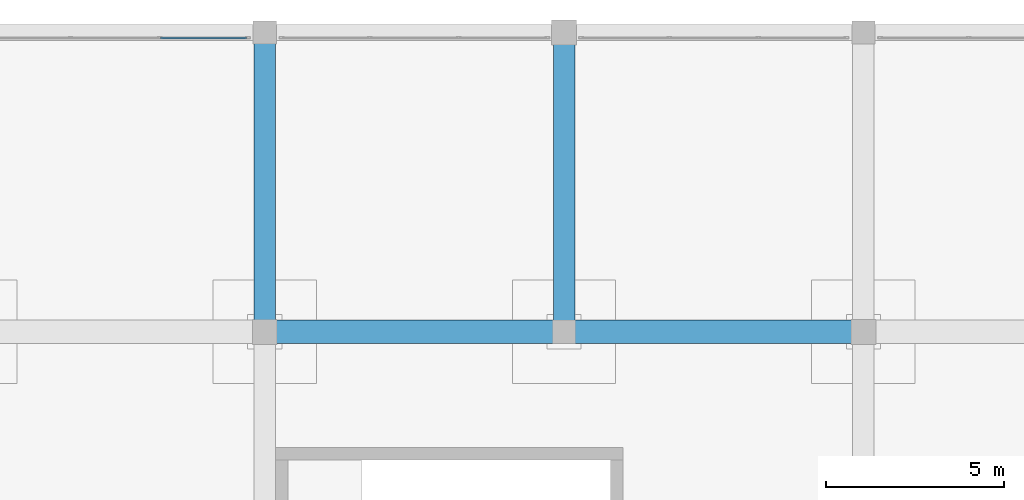
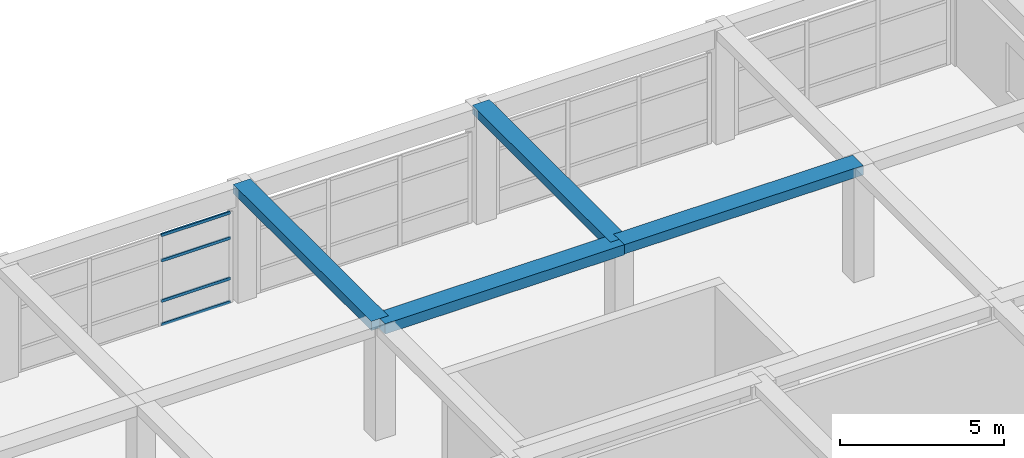
# One storey, part 61 of 85: 4 beams, 4 members, 1 element without a shape of its own.
"""IFC4 building model written with IfcOpenShell, lengths in metres."""

from ifc_helpers import new_model, si_unit, direction, frame, origin, origin_2d, place, context, subcontext, project, spatial, rectangle, hollow_rectangle, extrude, material, material_profile, profile_set, type_object, element, aggregate, save


model = new_model("IFC4")

# Units and contexts
model_context = context("Model", 3, precision=1e-05, world=origin(), true_north=direction((0.0, 1.0)))
body_context = subcontext(model_context, "Body", "Model", "MODEL_VIEW")
ifc_project = project(units=[si_unit("LENGTHUNIT", "METRE"), si_unit("AREAUNIT", "SQUARE_METRE"), si_unit("VOLUMEUNIT", "CUBIC_METRE"), si_unit("PLANEANGLEUNIT", "RADIAN"), si_unit("MASSUNIT", "GRAM", prefix="KILO")], contexts=[model_context])

# Site, building, storey
site_placement = place(None, origin())
site = spatial("IfcSite", under=ifc_project, at=site_placement, CompositionType="ELEMENT")
building_placement = place(site_placement, origin())
building = spatial("IfcBuilding", under=site, at=building_placement, Name="Almacenes y Pasaje Nevantli", CompositionType="ELEMENT")
storey_placement = place(building_placement, frame((0.0, 0.0, 22.199951171875)))
storey = spatial("IfcBuildingStorey", under=building, at=storey_placement, Name="L05", CompositionType="ELEMENT", Elevation=22.199951171875)

# Beams
ifc_material_1 = material(Name="Concrete C35/45", Category="concrete")
ifc_material_profile_1 = material_profile(ifc_material_1, rectangle(XDim=0.60009765625, YDim=0.320068359375, at=origin_2d()), Name="RC-BM-600x320")
ifc_profile_set_1 = profile_set([ifc_material_profile_1], Name="Concrete C35/45")
beam_type_1 = type_object("IfcBeamType", Name="BM-RC-600x320", PredefinedType="BEAM", material=ifc_profile_set_1)
beam_1_placement = place(storey_placement, frame((151.199951171875, 109.199951171875, 4.06005859375), z_axis=(0.0, 1.0, 0.0), x_axis=(-1.0, 0.0, 0.0)))
element("IfcBeam", 1, at=beam_1_placement, inside=storey, type_object=beam_type_1, Name="L05 North-South Reinforced Concrete Beam #3544", PredefinedType="BEAM", context=body_context, shape_type="SweptSolid", body=[
    extrude(rectangle(XDim=0.60009765625, YDim=0.320068359375, at=origin_2d()), origin(), (0.0, 0.0, 1.0), 8.400146484375),
])
ifc_material_2 = material(Name="Concrete C35/45", Category="concrete")
ifc_material_profile_2 = material_profile(ifc_material_2, rectangle(XDim=0.60009765625, YDim=0.340087890625, at=origin_2d()), Name="RC-BM-600x340")
ifc_profile_set_2 = profile_set([ifc_material_profile_2], Name="Concrete C35/45")
beam_type_2 = type_object("IfcBeamType", Name="BM-RC-600x340", PredefinedType="BEAM", material=ifc_profile_set_2)
beam_2_placement = place(storey_placement, frame((142.800048828125, 109.199951171875, 4.050048828125), z_axis=(0.0, 1.0, 0.0), x_axis=(-1.0, 0.0, 0.0)))
element("IfcBeam", 2, at=beam_2_placement, inside=storey, type_object=beam_type_2, Name="L05 North-South Reinforced Concrete Beam #3536", PredefinedType="BEAM", context=body_context, shape_type="SweptSolid", body=[
    extrude(rectangle(XDim=0.60009765625, YDim=0.340087890625, at=origin_2d()), origin(), (0.0, 0.0, 1.0), 8.400146484375),
])
ifc_material_3 = material(Name="Concrete C35/45", Category="concrete")
ifc_material_profile_3 = material_profile(ifc_material_3, rectangle(XDim=0.64990234375, YDim=0.35009765625, at=origin_2d()), Name="RC-BM-650x350")
ifc_profile_set_3 = profile_set([ifc_material_profile_3], Name="Concrete C35/45")
beam_type_3 = type_object("IfcBeamType", Name="BM-RC-650x350", PredefinedType="BEAM", material=ifc_profile_set_3)
beam_3_placement = place(storey_placement, frame((151.199951171875, 109.199951171875, 4.045166015625), z_axis=(1.0, 0.0, 0.0), x_axis=(0.0, 1.0, 0.0)))
element("IfcBeam", 3, at=beam_3_placement, inside=storey, type_object=beam_type_3, Name="L05 East-West Reinforced Concrete Beam #3403", PredefinedType="BEAM", context=body_context, shape_type="SweptSolid", body=[
    extrude(rectangle(XDim=0.64990234375, YDim=0.35009765625, at=origin_2d()), origin(), (0.0, 0.0, 1.0), 8.400146484375),
])
ifc_material_4 = material(Name="Concrete C35/45", Category="concrete")
ifc_material_profile_4 = material_profile(ifc_material_4, rectangle(XDim=0.64990234375, YDim=0.3798828125, at=origin_2d()), Name="RC-BM-650x380")
ifc_profile_set_4 = profile_set([ifc_material_profile_4], Name="Concrete C35/45")
beam_type_4 = type_object("IfcBeamType", Name="BM-RC-650x380", PredefinedType="BEAM", material=ifc_profile_set_4)
beam_4_placement = place(storey_placement, frame((142.800048828125, 109.199951171875, 4.030029296875), z_axis=(1.0, 0.0, 0.0), x_axis=(0.0, 1.0, 0.0)))
element("IfcBeam", 4, at=beam_4_placement, inside=storey, type_object=beam_type_4, Name="L05 East-West Reinforced Concrete Beam #3402", PredefinedType="BEAM", context=body_context, shape_type="SweptSolid", body=[
    extrude(rectangle(XDim=0.64990234375, YDim=0.3798828125, at=origin_2d()), origin(), (0.0, 0.0, 1.0), 8.39990234375),
])

# Curtain wall, members
ifc_material_5 = material(Name="Thermally Broken Aluminium and Low-E Glass", Category="aluminium")
curtain_wall_type = type_object("IfcCurtainWallType", Name="CW-UNIT-PODIUM", PredefinedType="USERDEFINED", material=ifc_material_5)
curtain_wall_placement = place(storey_placement, origin())
curtain_wall = element("IfcCurtainWall", 5, at=curtain_wall_placement, inside=storey, type_object=curtain_wall_type, Name="L05 Sky-Lobby North Curtain Wall Bay 17", ObjectType="UNITIZED CURTAIN WALL", PredefinedType="USERDEFINED")
ifc_material_6 = material(Name="Thermally Broken Anodized Aluminium", Category="aluminium")
ifc_material_profile_5 = material_profile(ifc_material_6, hollow_rectangle(XDim=0.054931640625, YDim=0.10498046875, WallThickness=0.003173828125, at=origin_2d()), Name="ALU-TRN-55x105")
ifc_profile_set_5 = profile_set([ifc_material_profile_5], Name="Thermally Broken Anodized Aluminium")
member_type = type_object("IfcMemberType", Name="CW-TRN-120", PredefinedType="USERDEFINED", material=ifc_profile_set_5)
member_1_placement = place(storey_placement, frame((139.87744140625, 117.449951171875, 0.027587890625), z_axis=(1.0, 0.0, 0.0), x_axis=(0.0, 1.0, 0.0)))
member_1 = element("IfcMember", 6, at=member_1_placement, type_object=member_type, Name="CW-L05-090 transom 3.1", ObjectType="TRANSOM", PredefinedType="USERDEFINED", context=body_context, shape_type="SweptSolid", body=[
    extrude(hollow_rectangle(XDim=0.054931640625, YDim=0.10498046875, WallThickness=0.003173828125, at=origin_2d()), origin(), (0.0, 0.0, 1.0), 2.41748046875),
])
member_2_placement = place(storey_placement, frame((139.87744140625, 117.449951171875, 0.900146484375), z_axis=(1.0, 0.0, 0.0), x_axis=(0.0, 1.0, 0.0)))
member_2 = element("IfcMember", 7, at=member_2_placement, type_object=member_type, Name="CW-L05-090 transom 3.2", ObjectType="TRANSOM", PredefinedType="USERDEFINED", context=body_context, shape_type="SweptSolid", body=[
    extrude(hollow_rectangle(XDim=0.054931640625, YDim=0.10498046875, WallThickness=0.003173828125, at=origin_2d()), origin(), (0.0, 0.0, 1.0), 2.41748046875),
])
member_3_placement = place(storey_placement, frame((139.87744140625, 117.449951171875, 2.400146484375), z_axis=(1.0, 0.0, 0.0), x_axis=(0.0, 1.0, 0.0)))
member_3 = element("IfcMember", 8, at=member_3_placement, type_object=member_type, Name="CW-L05-090 transom 3.3", ObjectType="TRANSOM", PredefinedType="USERDEFINED", context=body_context, shape_type="SweptSolid", body=[
    extrude(hollow_rectangle(XDim=0.054931640625, YDim=0.10498046875, WallThickness=0.003173828125, at=origin_2d()), origin(), (0.0, 0.0, 1.0), 2.41748046875),
])
member_4_placement = place(storey_placement, frame((139.87744140625, 117.449951171875, 3.342529296875), z_axis=(1.0, 0.0, 0.0), x_axis=(0.0, 1.0, 0.0)))
member_4 = element("IfcMember", 9, at=member_4_placement, type_object=member_type, Name="CW-L05-090 transom 3.4", ObjectType="TRANSOM", PredefinedType="USERDEFINED", context=body_context, shape_type="SweptSolid", body=[
    extrude(hollow_rectangle(XDim=0.054931640625, YDim=0.10498046875, WallThickness=0.003173828125, at=origin_2d()), origin(), (0.0, 0.0, 1.0), 2.41748046875),
])
aggregate(curtain_wall, [member_1, member_2, member_3, member_4])

save(model, "model.ifc")
